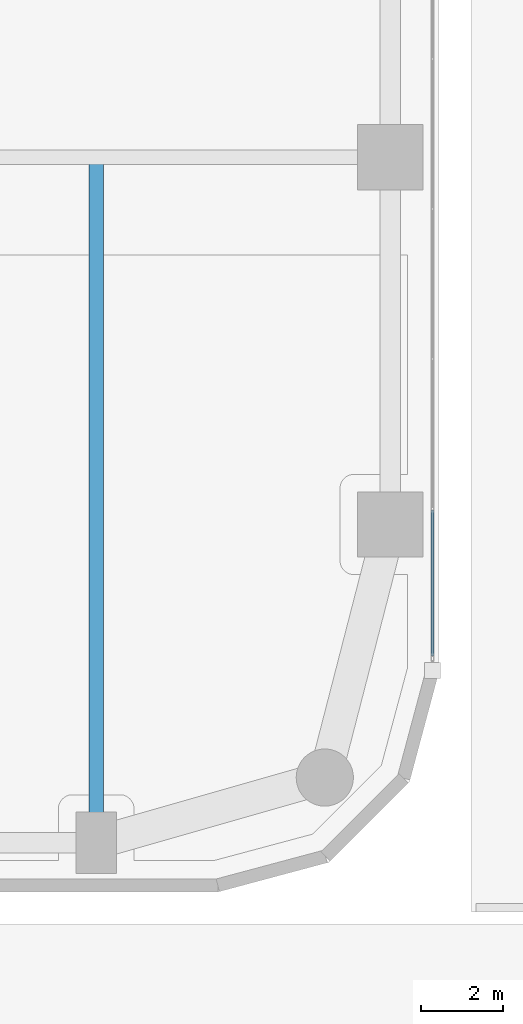
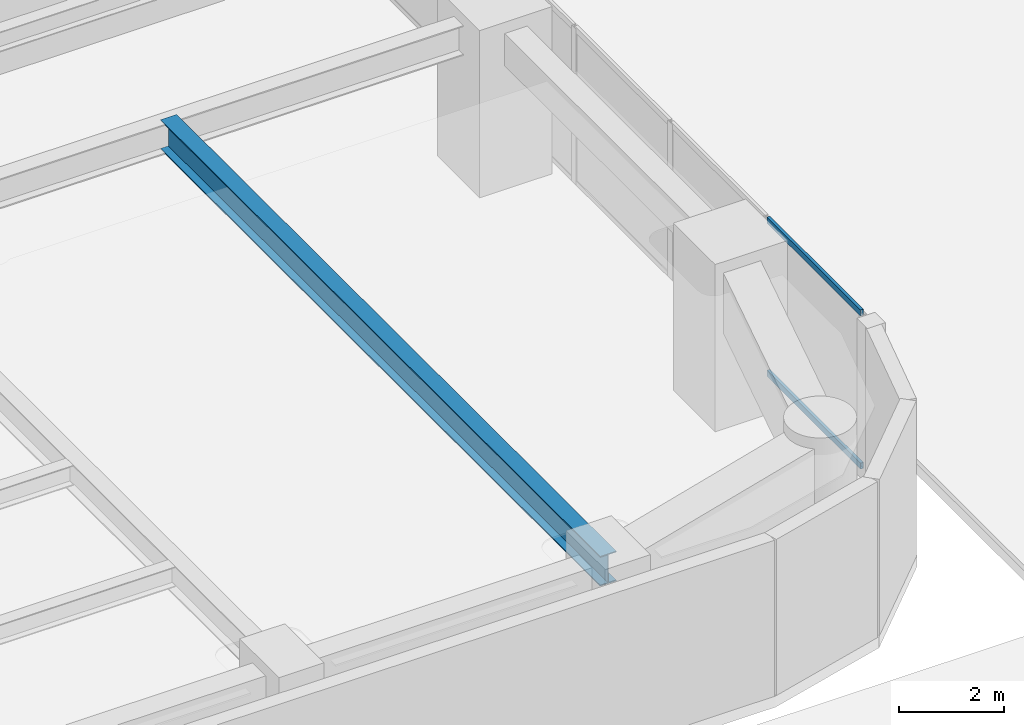
# One storey, part 15 of 38: 2 members, 1 beam, 1 element without a shape of its own.
"""IFC4 building model written with IfcOpenShell, lengths in metres."""

from ifc_helpers import new_model, si_unit, direction, frame, origin, origin_2d, place, context, subcontext, project, spatial, hollow_rectangle, i_section, extrude, material, layer, layer_set, material_profile, profile_set, type_object, element, aggregate, save


model = new_model("IFC4")

# Units and contexts
model_context = context("Model", 3, precision=1e-05, world=origin(), true_north=direction((0.0, 1.0)))
body_context = subcontext(model_context, "Body", "Model", "MODEL_VIEW")
ifc_project = project(units=[si_unit("LENGTHUNIT", "METRE"), si_unit("AREAUNIT", "SQUARE_METRE"), si_unit("VOLUMEUNIT", "CUBIC_METRE"), si_unit("PLANEANGLEUNIT", "RADIAN"), si_unit("MASSUNIT", "GRAM", prefix="KILO")], contexts=[model_context])

# Site, building, storey
site_placement = place(None, origin())
site = spatial("IfcSite", under=ifc_project, at=site_placement, CompositionType="ELEMENT")
building_placement = place(site_placement, origin())
building = spatial("IfcBuilding", under=site, at=building_placement, Name="Kiyonajd Concourse Tower", CompositionType="ELEMENT")
storey_placement = place(building_placement, frame((0.0, 0.0, 21.60009765625)))
storey = spatial("IfcBuildingStorey", under=building, at=storey_placement, Name="L06", CompositionType="ELEMENT", Elevation=21.60009765625)

# Beam
ifc_material_1 = material(Name="Steel ASTM A992 Grade 50", Category="steel")
ifc_material_profile_1 = material_profile(ifc_material_1, i_section(OverallWidth=0.35498046875, OverallDepth=0.695068359375, WebThickness=0.015380859375, FlangeThickness=0.02490234375, at=origin_2d()), Name="W690X217")
ifc_profile_set_1 = profile_set([ifc_material_profile_1], Name="Steel ASTM A992 Grade 50")
beam_type = type_object("IfcBeamType", Name="BM-TWR-690", PredefinedType="BEAM", material=ifc_profile_set_1)
beam_placement = place(storey_placement, frame((70.800048828125, 10.800048828125, 3.29248046875), z_axis=(0.0, 1.0, 0.0), x_axis=(-1.0, 0.0, 0.0)))
element("IfcBeam", 1, at=beam_placement, inside=storey, type_object=beam_type, Name="L06 South Lease Girder", PredefinedType="BEAM", context=body_context, shape_type="SweptSolid", body=[
    extrude(i_section(OverallWidth=0.35498046875, OverallDepth=0.695068359375, WebThickness=0.015380859375, FlangeThickness=0.02490234375, at=origin_2d()), origin(), (0.0, 0.0, 1.0), 16.800048828125),
])

# Curtain wall, members
ifc_material_2 = material(Name="Thermally Broken Anodised Aluminium", Category="aluminium")
ifc_layer = layer(ifc_material_2, 0.179931640625)
ifc_layer_set = layer_set([ifc_layer], Name="Thermally Broken Anodised Aluminium")
curtain_wall_type = type_object("IfcCurtainWallType", Name="CW-SYS-02", PredefinedType="NOTDEFINED", material=ifc_layer_set)
curtain_wall_placement = place(storey_placement, origin())
curtain_wall = element("IfcCurtainWall", 2, at=curtain_wall_placement, inside=storey, type_object=curtain_wall_type, Name="L06 Unitised Curtain Wall CW2", PredefinedType="NOTDEFINED")
ifc_material_profile_2 = material_profile(ifc_material_2, hollow_rectangle(XDim=0.06494140625, YDim=0.139892578125, WallThickness=0.00390625, at=origin_2d()), Name="TRAN-65x140")
ifc_profile_set_2 = profile_set([ifc_material_profile_2], Name="Thermally Broken Anodised Aluminium")
member_type = type_object("IfcMemberType", Name="MB-CW-TRAN1", PredefinedType="USERDEFINED", material=ifc_profile_set_2)
member_1_placement = place(storey_placement, frame((79.0400390625, 18.95166015625, 0.032470703125), z_axis=(0.0, -1.0, 0.0), x_axis=(1.0, 0.0, 0.0)))
member_1 = element("IfcMember", 3, at=member_1_placement, type_object=member_type, Name="CW2 transom 6.1", ObjectType="TRANSOM", PredefinedType="USERDEFINED", context=body_context, shape_type="SweptSolid", body=[
    extrude(hollow_rectangle(XDim=0.06494140625, YDim=0.139892578125, WallThickness=0.00390625, at=origin_2d()), origin(), (0.0, 0.0, 1.0), 3.575439453125),
])
member_2_placement = place(storey_placement, frame((79.0400390625, 18.95166015625, 3.607421875), z_axis=(0.0, -1.0, 0.0), x_axis=(1.0, 0.0, 0.0)))
member_2 = element("IfcMember", 4, at=member_2_placement, type_object=member_type, Name="CW2 transom 6.2", ObjectType="TRANSOM", PredefinedType="USERDEFINED", context=body_context, shape_type="SweptSolid", body=[
    extrude(hollow_rectangle(XDim=0.06494140625, YDim=0.139892578125, WallThickness=0.00390625, at=origin_2d()), origin(), (0.0, 0.0, 1.0), 3.575439453125),
])
aggregate(curtain_wall, [member_1, member_2])

save(model, "model.ifc")
